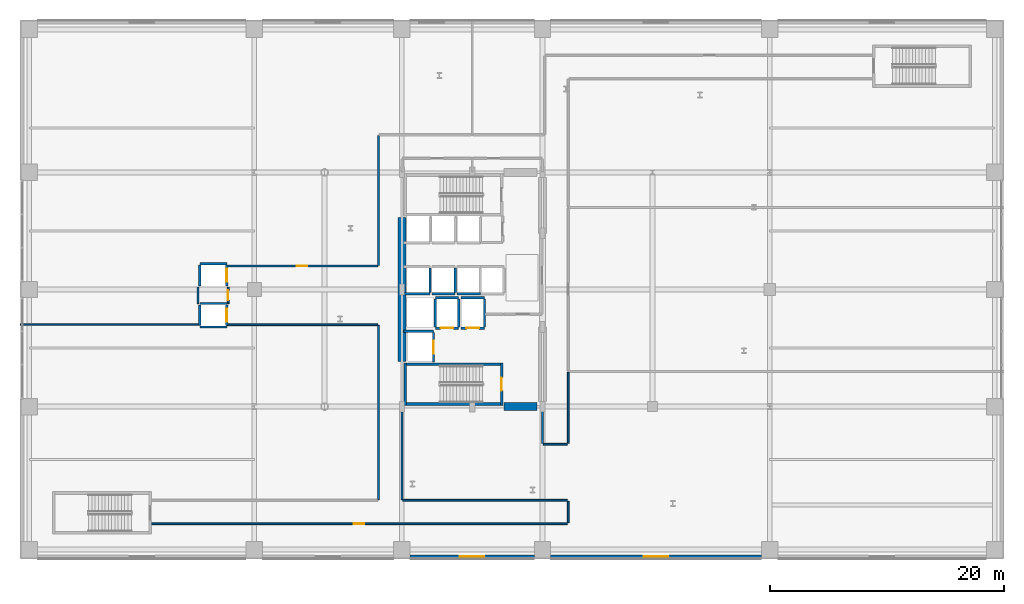
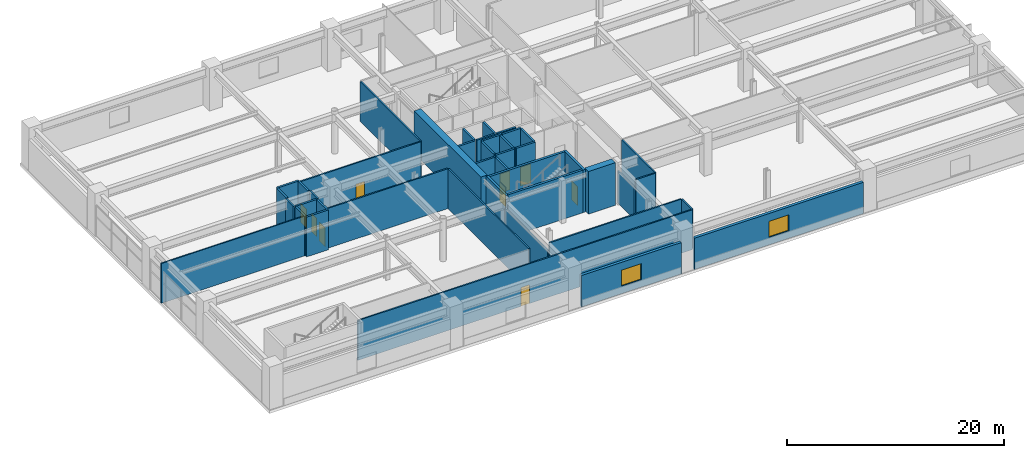
# One storey, part 20 of 28: 43 walls, 9 doors, 2 windows, 11 openings.
"""IFC4 building model written with IfcOpenShell, lengths in metres."""

from ifc_helpers import new_model, si_unit, direction, frame, frame_2d, origin, place, context, subcontext, project, spatial, rectangle, extrude, material, layer, layer_set, type_object, element, fill, save


model = new_model("IFC4")

# Units and contexts
model_context = context("Model", 3, precision=1e-05, world=origin(), true_north=direction((0.0, 1.0)))
body_context = subcontext(model_context, "Body", "Model", "MODEL_VIEW")
ifc_project = project(units=[si_unit("LENGTHUNIT", "METRE"), si_unit("AREAUNIT", "SQUARE_METRE"), si_unit("VOLUMEUNIT", "CUBIC_METRE"), si_unit("PLANEANGLEUNIT", "RADIAN"), si_unit("MASSUNIT", "GRAM", prefix="KILO")], contexts=[model_context])

# Site, building, storey
site_placement = place(None, origin())
site = spatial("IfcSite", under=ifc_project, at=site_placement, CompositionType="ELEMENT")
building_placement = place(site_placement, origin())
building = spatial("IfcBuilding", under=site, at=building_placement, Name="Soratama Intermodal Tower", CompositionType="ELEMENT")
storey_placement = place(building_placement, frame((0.0, 0.0, 11.39990234375)))
storey = spatial("IfcBuildingStorey", under=building, at=storey_placement, Name="L02", CompositionType="ELEMENT", Elevation=11.39990234375)

# Wall, opening, window
ifc_material_1 = material(Name="Concrete f'c 42 MPa", Category="concrete")
ifc_layer_1 = layer(ifc_material_1, 0.300048828125)
ifc_layer_set_1 = layer_set([ifc_layer_1], Name="Concrete f'c 42 MPa")
wall_type_1 = type_object("IfcWallType", Name="EW-STONE-300", PredefinedType="SOLIDWALL", material=ifc_layer_set_1)
wall_1_placement = place(storey_placement, frame((43.89990234375, 2.199951171875, 0.0), z_axis=(0.0, 0.0, 1.0), x_axis=(-1.0, 0.0, 0.0)))
wall_1 = element("IfcWall", 1, at=wall_1_placement, inside=storey, type_object=wall_type_1, Name="L02 S Limestone Wall B3", PredefinedType="SOLIDWALL", context=body_context, shape_type="SweptSolid", body=[
    extrude(rectangle(XDim=10.599853515625, YDim=0.300048828125, at=frame_2d((5.2998046875, 0.0))), origin(), (0.0, 0.0, 1.0), 3.5361328125),
])
opening_1_placement = place(wall_1_placement, frame((4.25, 0.0, 0.85009765625)))
opening_1 = element("IfcOpeningElement", 2, at=opening_1_placement, cuts=wall_1, Name="Opening WN-0", PredefinedType="OPENING", context=body_context, shape_type="SweptSolid", body=[
    extrude(rectangle(XDim=2.10009765625, YDim=1.800048828125, at=frame_2d((1.050048828125, 0.89990234375))), frame((0.0, 0.159912109375, 0.0), z_axis=(0.0, -1.0, 0.0), x_axis=(1.0, 0.0, 0.0)), (0.0, 0.0, 1.0), 0.320068359375),
])
ifc_material_2 = material(Name="Double-glazed aluminium window", Category="aluminium")
window_type = type_object("IfcWindowType", Name="WN-POD-2100", PartitioningType="SINGLE_PANEL", PredefinedType="WINDOW", material=ifc_material_2)
window_1_placement = place(opening_1_placement, origin())
window_1 = element("IfcWindow", 3, at=window_1_placement, inside=storey, type_object=window_type, Name="L02 S Window B3", OverallHeight=1.800048828125, OverallWidth=2.10009765625, PartitioningType="SINGLE_PANEL", PredefinedType="WINDOW", context=body_context, shape_type="SweptSolid", body=[
    extrude(rectangle(XDim=2.10009765625, YDim=1.800048828125, at=frame_2d((1.050048828125, 0.89990234375))), frame((0.0, 0.030029296875, 0.0), z_axis=(0.0, -1.0, 0.0), x_axis=(1.0, 0.0, 0.0)), (0.0, 0.0, 1.0), 0.06005859375),
])
fill(opening_1, window_1)

wall_2_placement = place(storey_placement, frame((63.300048828125, 2.199951171875, 0.0), z_axis=(0.0, 0.0, 1.0), x_axis=(-1.0, 0.0, 0.0)))
wall_2 = element("IfcWall", 4, at=wall_2_placement, inside=storey, type_object=wall_type_1, Name="L02 S Limestone Wall B4", PredefinedType="SOLIDWALL", context=body_context, shape_type="SweptSolid", body=[
    extrude(rectangle(XDim=18.0, YDim=0.300048828125, at=frame_2d((9.0, 0.0))), origin(), (0.0, 0.0, 1.0), 3.5361328125),
])
opening_2_placement = place(wall_2_placement, frame((7.949951171875, 0.0, 0.85009765625)))
opening_2 = element("IfcOpeningElement", 5, at=opening_2_placement, cuts=wall_2, Name="Opening WN-0", PredefinedType="OPENING", context=body_context, shape_type="SweptSolid", body=[
    extrude(rectangle(XDim=2.10009765625, YDim=1.800048828125, at=frame_2d((1.050048828125, 0.89990234375))), frame((0.0, 0.159912109375, 0.0), z_axis=(0.0, -1.0, 0.0), x_axis=(1.0, 0.0, 0.0)), (0.0, 0.0, 1.0), 0.320068359375),
])
window_2_placement = place(opening_2_placement, origin())
window_2 = element("IfcWindow", 6, at=window_2_placement, inside=storey, type_object=window_type, Name="L02 S Window B4", OverallHeight=1.800048828125, OverallWidth=2.10009765625, PartitioningType="SINGLE_PANEL", PredefinedType="WINDOW", context=body_context, shape_type="SweptSolid", body=[
    extrude(rectangle(XDim=2.10009765625, YDim=1.800048828125, at=frame_2d((1.050048828125, 0.89990234375))), frame((0.0, 0.030029296875, 0.0), z_axis=(0.0, -1.0, 0.0), x_axis=(1.0, 0.0, 0.0)), (0.0, 0.0, 1.0), 0.06005859375),
])
fill(opening_2, window_2)

# Wall, opening, door
ifc_material_3 = material(Name="Fire-rated gypsum stud partition", Category="concrete")
ifc_layer_2 = layer(ifc_material_3, 0.14990234375)
ifc_layer_set_2 = layer_set([ifc_layer_2], Name="Fire-rated gypsum stud partition")
wall_type_2 = type_object("IfcWallType", Name="IW-PART-R150", PredefinedType="PARTITIONING", material=ifc_layer_set_2)
wall_3_placement = place(storey_placement, frame((46.72998046875, 5.0, 0.0), z_axis=(0.0, 0.0, 1.0), x_axis=(-1.0, 0.0, 0.0)))
wall_3 = element("IfcWall", 7, at=wall_3_placement, inside=storey, type_object=wall_type_2, Name="L02 Partition W-L02-TP003", PredefinedType="PARTITIONING", context=body_context, shape_type="SweptSolid", body=[
    extrude(rectangle(XDim=35.60986328125, YDim=0.14990234375, at=frame_2d((17.804931640625, 0.0))), origin(), (0.0, 0.0, 1.0), 4.47998046875),
])
opening_3_placement = place(wall_3_placement, frame((17.330078125, 0.0, 0.0)))
opening_3 = element("IfcOpeningElement", 8, at=opening_3_placement, cuts=wall_3, Name="Opening ID-6", PredefinedType="OPENING", context=body_context, shape_type="SweptSolid", body=[
    extrude(rectangle(XDim=0.919921875, YDim=2.1201171875, at=frame_2d((0.4599609375, 1.06005859375))), frame((0.0, 0.0849609375, 0.0), z_axis=(0.0, -1.0, 0.0), x_axis=(1.0, 0.0, 0.0)), (0.0, 0.0, 1.0), 0.169921875),
])
ifc_material_4 = material(Name="Solid hardwood acoustic door", Category="wood")
door_type_1 = type_object("IfcDoorType", Name="DR-ROOM-920", OperationType="NOTDEFINED", PredefinedType="DOOR", material=ifc_material_4)
door_1_placement = place(opening_3_placement, origin())
door_1 = element("IfcDoor", 9, at=door_1_placement, inside=storey, type_object=door_type_1, Name="L02 Door D-L02-TP001", OperationType="SINGLE_SWING_RIGHT", OverallHeight=2.1201171875, OverallWidth=0.919921875, PredefinedType="DOOR", context=body_context, shape_type="SweptSolid", body=[
    extrude(rectangle(XDim=0.919921875, YDim=2.1201171875, at=frame_2d((0.4599609375, 1.06005859375))), frame((0.0, 0.02490234375, 0.0), z_axis=(0.0, -1.0, 0.0), x_axis=(1.0, 0.0, 0.0)), (0.0, 0.0, 1.0), 0.050048828125),
])
fill(opening_3, door_1)

# Walls
wall_4_placement = place(storey_placement, frame((30.60009765625, 7.070068359375, 0.0), z_axis=(0.0, 0.0, 1.0), x_axis=(0.0, 1.0, 0.0)))
element("IfcWall", 10, at=wall_4_placement, inside=storey, type_object=wall_type_2, Name="L02 Partition W-L02-TP008", PredefinedType="PARTITIONING", context=body_context, shape_type="SweptSolid", body=[
    extrude(rectangle(XDim=14.85986328125, YDim=0.14990234375, at=frame_2d((7.429931640625, 0.0))), origin(), (0.0, 0.0, 1.0), 4.47998046875),
])
wall_5_placement = place(storey_placement, frame((32.669921875, 7.0, 0.0), z_axis=(0.0, 0.0, 1.0), x_axis=(1.0, 0.0, 0.0)))
element("IfcWall", 11, at=wall_5_placement, inside=storey, type_object=wall_type_2, Name="L02 Partition W-L02-TP009", PredefinedType="PARTITIONING", context=body_context, shape_type="SweptSolid", body=[
    extrude(rectangle(XDim=14.06005859375, YDim=0.14990234375, at=frame_2d((7.030029296875, 0.0))), origin(), (0.0, 0.0, 1.0), 4.47998046875),
])
wall_6_placement = place(storey_placement, frame((30.530029296875, 22.0, 0.0), z_axis=(0.0, 0.0, 1.0), x_axis=(-1.0, 0.0, 0.0)))
element("IfcWall", 12, at=wall_6_placement, inside=storey, type_object=wall_type_2, Name="L02 Partition W-L02-TP011", PredefinedType="PARTITIONING", context=body_context, shape_type="SweptSolid", body=[
    extrude(rectangle(XDim=12.880126953125, YDim=0.14990234375, at=frame_2d((6.43994140625, 0.0))), origin(), (0.0, 0.0, 1.0), 4.47998046875),
])

# Wall, opening, door
wall_7_placement = place(storey_placement, frame((17.64990234375, 27.0, 0.0), z_axis=(0.0, 0.0, 1.0), x_axis=(1.0, 0.0, 0.0)))
wall_7 = element("IfcWall", 13, at=wall_7_placement, inside=storey, type_object=wall_type_2, Name="L02 Partition W-L02-TP012", PredefinedType="PARTITIONING", context=body_context, shape_type="SweptSolid", body=[
    extrude(rectangle(XDim=12.880126953125, YDim=0.14990234375, at=frame_2d((6.43994140625, 0.0))), origin(), (0.0, 0.0, 1.0), 4.47998046875),
])
opening_4_placement = place(wall_7_placement, frame((5.965087890625, 0.0, 0.0)))
opening_4 = element("IfcOpeningElement", 14, at=opening_4_placement, cuts=wall_7, Name="Opening ID-6", PredefinedType="OPENING", context=body_context, shape_type="SweptSolid", body=[
    extrude(rectangle(XDim=0.919921875, YDim=2.1201171875, at=frame_2d((0.4599609375, 1.06005859375))), frame((0.0, 0.0849609375, 0.0), z_axis=(0.0, -1.0, 0.0), x_axis=(1.0, 0.0, 0.0)), (0.0, 0.0, 1.0), 0.169921875),
])
door_2_placement = place(opening_4_placement, origin())
door_2 = element("IfcDoor", 15, at=door_2_placement, inside=storey, type_object=door_type_1, Name="L02 Door D-L02-TP004", OperationType="SINGLE_SWING_LEFT", OverallHeight=2.1201171875, OverallWidth=0.919921875, PredefinedType="DOOR", context=body_context, shape_type="SweptSolid", body=[
    extrude(rectangle(XDim=0.919921875, YDim=2.1201171875, at=frame_2d((0.4599609375, 1.06005859375))), frame((0.0, 0.02490234375, 0.0), z_axis=(0.0, -1.0, 0.0), x_axis=(1.0, 0.0, 0.0)), (0.0, 0.0, 1.0), 0.050048828125),
])
fill(opening_4, door_2)

# Walls
wall_8_placement = place(storey_placement, frame((30.60009765625, 27.070068359375, 0.0), z_axis=(0.0, 0.0, 1.0), x_axis=(0.0, 1.0, 0.0)))
element("IfcWall", 16, at=wall_8_placement, inside=storey, type_object=wall_type_2, Name="L02 Partition W-L02-TP013", PredefinedType="PARTITIONING", context=body_context, shape_type="SweptSolid", body=[
    extrude(rectangle(XDim=11.059814453125, YDim=0.14990234375, at=frame_2d((5.52978515625, 0.0))), origin(), (0.0, 0.0, 1.0), 4.47998046875),
])
wall_9_placement = place(storey_placement, frame((32.60009765625, 14.929931640625, 0.0), z_axis=(0.0, 0.0, 1.0), x_axis=(0.0, -1.0, 0.0)))
element("IfcWall", 17, at=wall_9_placement, inside=storey, type_object=wall_type_2, Name="L02 Partition W-L02-TP016", PredefinedType="PARTITIONING", context=body_context, shape_type="SweptSolid", body=[
    extrude(rectangle(XDim=7.85986328125, YDim=0.14990234375, at=frame_2d((3.929931640625, 0.0))), origin(), (0.0, 0.0, 1.0), 3.60205078125),
])
wall_10_placement = place(storey_placement, frame((46.800048828125, 17.929931640625, 0.0), z_axis=(0.0, 0.0, 1.0), x_axis=(0.0, -1.0, 0.0)))
element("IfcWall", 18, at=wall_10_placement, inside=storey, type_object=wall_type_2, Name="L02 Partition W-L02-TP020", PredefinedType="PARTITIONING", context=body_context, shape_type="SweptSolid", body=[
    extrude(rectangle(XDim=6.059814453125, YDim=0.14990234375, at=frame_2d((3.02978515625, 0.0))), origin(), (0.0, 0.0, 1.0), 4.47998046875),
])
wall_11_placement = place(storey_placement, frame((44.60009765625, 11.8701171875, 0.0), z_axis=(0.0, 0.0, 1.0), x_axis=(0.0, 1.0, 0.0)))
element("IfcWall", 19, at=wall_11_placement, inside=storey, type_object=wall_type_2, Name="L02 Partition W-L02-TP025", PredefinedType="PARTITIONING", context=body_context, shape_type="SweptSolid", body=[
    extrude(rectangle(XDim=3.059814453125, YDim=0.14990234375, at=frame_2d((1.52978515625, 0.0))), origin(), (0.0, 0.0, 1.0), 3.60205078125),
])
wall_12_placement = place(storey_placement, frame((46.72998046875, 11.800048828125, 0.0), z_axis=(0.0, 0.0, 1.0), x_axis=(-1.0, 0.0, 0.0)))
element("IfcWall", 20, at=wall_12_placement, inside=storey, type_object=wall_type_2, Name="L02 Partition W-L02-TP027", PredefinedType="PARTITIONING", context=body_context, shape_type="SweptSolid", body=[
    extrude(rectangle(XDim=2.06005859375, YDim=0.14990234375, at=frame_2d((1.030029296875, 0.0))), origin(), (0.0, 0.0, 1.0), 4.47998046875),
])
wall_13_placement = place(storey_placement, frame((46.800048828125, 6.929931640625, 0.0), z_axis=(0.0, 0.0, 1.0), x_axis=(0.0, -1.0, 0.0)))
element("IfcWall", 21, at=wall_13_placement, inside=storey, type_object=wall_type_2, Name="L02 Partition W-L02-TP028", PredefinedType="PARTITIONING", context=body_context, shape_type="SweptSolid", body=[
    extrude(rectangle(XDim=1.85986328125, YDim=0.14990234375, at=frame_2d((0.929931640625, 0.0))), origin(), (0.0, 0.0, 1.0), 4.47998046875),
])

# Wall, opening, door
wall_14_placement = place(storey_placement, frame((17.77001953125, 23.800048828125, 0.0), z_axis=(0.0, 0.0, 1.0), x_axis=(0.0, 1.0, 0.0)))
wall_14 = element("IfcWall", 22, at=wall_14_placement, inside=storey, type_object=wall_type_2, Name="L02 Partition W-L02-TP031", PredefinedType="PARTITIONING", context=body_context, shape_type="SweptSolid", body=[
    extrude(rectangle(XDim=1.39990234375, YDim=0.14990234375, at=frame_2d((0.699951171875, 0.0))), origin(), (0.0, 0.0, 1.0), 4.47998046875),
])
opening_5_placement = place(wall_14_placement, frame((0.27490234375, 0.0, 0.0)))
opening_5 = element("IfcOpeningElement", 23, at=opening_5_placement, cuts=wall_14, Name="Opening ID-4", PredefinedType="OPENING", context=body_context, shape_type="SweptSolid", body=[
    extrude(rectangle(XDim=0.85009765625, YDim=2.10009765625, at=frame_2d((0.425048828125, 1.050048828125))), frame((0.0, 0.0849609375, 0.0), z_axis=(0.0, -1.0, 0.0), x_axis=(1.0, 0.0, 0.0)), (0.0, 0.0, 1.0), 0.169921875),
])
ifc_material_5 = material(Name="Solid hardwood acoustic door", Category="wood")
door_type_2 = type_object("IfcDoorType", Name="DR-BATH-850", OperationType="NOTDEFINED", PredefinedType="DOOR", material=ifc_material_5)
door_3_placement = place(opening_5_placement, origin())
door_3 = element("IfcDoor", 24, at=door_3_placement, inside=storey, type_object=door_type_2, Name="L02 Door D-L02-TP010", OperationType="SINGLE_SWING_LEFT", OverallHeight=2.10009765625, OverallWidth=0.85009765625, PredefinedType="DOOR", context=body_context, shape_type="SweptSolid", body=[
    extrude(rectangle(XDim=0.85009765625, YDim=2.10009765625, at=frame_2d((0.425048828125, 1.050048828125))), frame((0.0, 0.02490234375, 0.0), z_axis=(0.0, -1.0, 0.0), x_axis=(1.0, 0.0, 0.0)), (0.0, 0.0, 1.0), 0.050048828125),
])
fill(opening_5, door_3)

# Walls
wall_15_placement = place(storey_placement, frame((15.205078125, 23.800048828125, 0.0), z_axis=(0.0, 0.0, 1.0), x_axis=(0.0, 1.0, 0.0)))
element("IfcWall", 25, at=wall_15_placement, inside=storey, type_object=wall_type_2, Name="L02 Partition W-L02-TP032", PredefinedType="PARTITIONING", context=body_context, shape_type="SweptSolid", body=[
    extrude(rectangle(XDim=1.39990234375, YDim=0.14990234375, at=frame_2d((0.699951171875, 0.0))), origin(), (0.0, 0.0, 1.0), 4.47998046875),
])
ifc_material_6 = material(Name="Fire-rated gypsum stud partition", Category="concrete")
ifc_layer_3 = layer(ifc_material_6, 0.1298828125)
ifc_layer_set_3 = layer_set([ifc_layer_3], Name="Fire-rated gypsum stud partition")
wall_type_3 = type_object("IfcWallType", Name="IW-PART-S130", PredefinedType="PARTITIONING", material=ifc_layer_set_3)
wall_16_placement = place(storey_placement, frame((0.0, 22.0, 0.0), z_axis=(0.0, 0.0, 1.0), x_axis=(1.0, 0.0, 0.0)))
element("IfcWall", 26, at=wall_16_placement, inside=storey, type_object=wall_type_3, Name="L02 Partition W-L02-TP007", PredefinedType="PARTITIONING", context=body_context, shape_type="SweptSolid", body=[
    extrude(rectangle(XDim=15.35009765625, YDim=0.1298828125, at=frame_2d((7.675048828125, 0.0))), origin(), (0.0, 0.0, 1.0), 4.47998046875),
])

# Wall, opening, door
ifc_material_7 = material(Name="Concrete f'c 42 MPa", Category="concrete")
ifc_layer_4 = layer(ifc_material_7, 0.199951171875)
ifc_layer_set_4 = layer_set([ifc_layer_4], Name="Concrete f'c 42 MPa")
wall_type_4 = type_object("IfcWallType", Name="IW-SHAFT-200", PredefinedType="SOLIDWALL", material=ifc_layer_set_4)
wall_17_placement = place(storey_placement, frame((35.449951171875, 21.699951171875, 0.0), z_axis=(0.0, 0.0, 1.0), x_axis=(1.0, 0.0, 0.0)))
wall_17 = element("IfcWall", 27, at=wall_17_placement, inside=storey, type_object=wall_type_4, Name="L02 FFL-1 Hoistway Wall S", PredefinedType="SOLIDWALL", context=body_context, shape_type="SweptSolid", body=[
    extrude(rectangle(XDim=2.0, YDim=0.199951171875, at=frame_2d((1.0, 0.0))), origin(), (0.0, 0.0, 1.0), 4.47998046875),
])
opening_6_placement = place(wall_17_placement, frame((0.449951171875, 0.0, 0.0)))
opening_6 = element("IfcOpeningElement", 28, at=opening_6_placement, cuts=wall_17, Name="Opening LD-1", PredefinedType="OPENING", context=body_context, shape_type="SweptSolid", body=[
    extrude(rectangle(XDim=1.10009765625, YDim=2.14990234375, at=frame_2d((0.550048828125, 1.074951171875))), frame((0.0, 0.10986328125, 0.0), z_axis=(0.0, -1.0, 0.0), x_axis=(1.0, 0.0, 0.0)), (0.0, 0.0, 1.0), 0.219970703125),
])
ifc_material_8 = material(Name="Steel fire door", Category="steel")
door_type_3 = type_object("IfcDoorType", Name="DR-LIFT-SLIDE", OperationType="NOTDEFINED", PredefinedType="DOOR", material=ifc_material_8)
door_4_placement = place(opening_6_placement, origin())
door_4 = element("IfcDoor", 29, at=door_4_placement, inside=storey, type_object=door_type_3, Name="L02 FFL-1 Sliding Landing Door", OperationType="SLIDING_TO_LEFT", OverallHeight=2.14990234375, OverallWidth=1.10009765625, PredefinedType="DOOR", context=body_context, shape_type="SweptSolid", body=[
    extrude(rectangle(XDim=1.10009765625, YDim=2.14990234375, at=frame_2d((0.550048828125, 1.074951171875))), frame((0.0, 0.02490234375, 0.0), z_axis=(0.0, -1.0, 0.0), x_axis=(1.0, 0.0, 0.0)), (0.0, 0.0, 1.0), 0.050048828125),
])
fill(opening_6, door_4)

# Walls
wall_18_placement = place(storey_placement, frame((35.449951171875, 24.300048828125, 0.0), z_axis=(0.0, 0.0, 1.0), x_axis=(1.0, 0.0, 0.0)))
element("IfcWall", 30, at=wall_18_placement, inside=storey, type_object=wall_type_4, Name="L02 FFL-1 Hoistway Wall N", PredefinedType="SOLIDWALL", context=body_context, shape_type="SweptSolid", body=[
    extrude(rectangle(XDim=2.0, YDim=0.199951171875, at=frame_2d((1.0, 0.0))), origin(), (0.0, 0.0, 1.0), 4.47998046875),
])
for number, where, z_axis, x_axis, name in (
    (31, (35.449951171875, 21.81005859375, 0.0), (0.0, 0.0, 1.0), (0.0, 1.0, 0.0), "L02 FFL-1 Hoistway Wall W"),
    (32, (37.449951171875, 21.81005859375, 0.0), (0.0, 0.0, 1.0), (0.0, 1.0, 0.0), "L02 FFL-1 Hoistway Wall E"),
):
    element("IfcWall", number, at=place(storey_placement, frame(where, z_axis=z_axis, x_axis=x_axis)), inside=storey, type_object=wall_type_4, Name=name, PredefinedType="SOLIDWALL", context=body_context, shape_type="SweptSolid", body=[
        extrude(rectangle(XDim=2.3798828125, YDim=0.199951171875, at=frame_2d((1.18994140625, 0.0))), origin(), (0.0, 0.0, 1.0), 4.47998046875),
    ])

# Wall, opening, door
wall_19_placement = place(storey_placement, frame((37.64990234375, 21.699951171875, 0.0), z_axis=(0.0, 0.0, 1.0), x_axis=(1.0, 0.0, 0.0)))
wall_19 = element("IfcWall", 33, at=wall_19_placement, inside=storey, type_object=wall_type_4, Name="L02 FFL-2 Hoistway Wall S", PredefinedType="SOLIDWALL", context=body_context, shape_type="SweptSolid", body=[
    extrude(rectangle(XDim=2.0, YDim=0.199951171875, at=frame_2d((1.0, 0.0))), origin(), (0.0, 0.0, 1.0), 4.47998046875),
])
opening_7_placement = place(wall_19_placement, frame((0.449951171875, 0.0, 0.0)))
opening_7 = element("IfcOpeningElement", 34, at=opening_7_placement, cuts=wall_19, Name="Opening LD-1", PredefinedType="OPENING", context=body_context, shape_type="SweptSolid", body=[
    extrude(rectangle(XDim=1.10009765625, YDim=2.14990234375, at=frame_2d((0.550048828125, 1.074951171875))), frame((0.0, 0.10986328125, 0.0), z_axis=(0.0, -1.0, 0.0), x_axis=(1.0, 0.0, 0.0)), (0.0, 0.0, 1.0), 0.219970703125),
])
door_5_placement = place(opening_7_placement, origin())
door_5 = element("IfcDoor", 35, at=door_5_placement, inside=storey, type_object=door_type_3, Name="L02 FFL-2 Sliding Landing Door", OperationType="SLIDING_TO_LEFT", OverallHeight=2.14990234375, OverallWidth=1.10009765625, PredefinedType="DOOR", context=body_context, shape_type="SweptSolid", body=[
    extrude(rectangle(XDim=1.10009765625, YDim=2.14990234375, at=frame_2d((0.550048828125, 1.074951171875))), frame((0.0, 0.02490234375, 0.0), z_axis=(0.0, -1.0, 0.0), x_axis=(1.0, 0.0, 0.0)), (0.0, 0.0, 1.0), 0.050048828125),
])
fill(opening_7, door_5)

# Walls
wall_20_placement = place(storey_placement, frame((37.64990234375, 24.300048828125, 0.0), z_axis=(0.0, 0.0, 1.0), x_axis=(1.0, 0.0, 0.0)))
element("IfcWall", 36, at=wall_20_placement, inside=storey, type_object=wall_type_4, Name="L02 FFL-2 Hoistway Wall N", PredefinedType="SOLIDWALL", context=body_context, shape_type="SweptSolid", body=[
    extrude(rectangle(XDim=2.0, YDim=0.199951171875, at=frame_2d((1.0, 0.0))), origin(), (0.0, 0.0, 1.0), 4.47998046875),
])
wall_21_placement = place(storey_placement, frame((39.64990234375, 21.81005859375, 0.0), z_axis=(0.0, 0.0, 1.0), x_axis=(0.0, 1.0, 0.0)))
element("IfcWall", 37, at=wall_21_placement, inside=storey, type_object=wall_type_4, Name="L02 FFL-2 Hoistway Wall E", PredefinedType="SOLIDWALL", context=body_context, shape_type="SweptSolid", body=[
    extrude(rectangle(XDim=2.3798828125, YDim=0.199951171875, at=frame_2d((1.18994140625, 0.0))), origin(), (0.0, 0.0, 1.0), 4.47998046875),
])
wall_22_placement = place(storey_placement, frame((32.719970703125, 21.449951171875, 0.0), z_axis=(0.0, 0.0, 1.0), x_axis=(1.0, 0.0, 0.0)))
element("IfcWall", 38, at=wall_22_placement, inside=storey, type_object=wall_type_4, Name="L02 SVL-1 Hoistway Wall N", PredefinedType="SOLIDWALL", context=body_context, shape_type="SweptSolid", body=[
    extrude(rectangle(XDim=2.580078125, YDim=0.199951171875, at=frame_2d((1.2900390625, 0.0))), origin(), (0.0, 0.0, 1.0), 4.47998046875),
])

# Wall, opening, door
wall_23_placement = place(storey_placement, frame((35.300048828125, 18.7900390625, 0.0), z_axis=(0.0, 0.0, 1.0), x_axis=(0.0, 1.0, 0.0)))
wall_23 = element("IfcWall", 39, at=wall_23_placement, inside=storey, type_object=wall_type_4, Name="L02 SVL-1 Hoistway Wall E", PredefinedType="SOLIDWALL", context=body_context, shape_type="SweptSolid", body=[
    extrude(rectangle(XDim=2.550048828125, YDim=0.199951171875, at=frame_2d((1.27490234375, 0.0))), origin(), (0.0, 0.0, 1.0), 4.47998046875),
])
opening_8_placement = place(wall_23_placement, frame((0.72509765625, 0.0, 0.0)))
opening_8 = element("IfcOpeningElement", 40, at=opening_8_placement, cuts=wall_23, Name="Opening LD-1", PredefinedType="OPENING", context=body_context, shape_type="SweptSolid", body=[
    extrude(rectangle(XDim=1.10009765625, YDim=2.14990234375, at=frame_2d((0.550048828125, 1.074951171875))), frame((0.0, 0.10986328125, 0.0), z_axis=(0.0, -1.0, 0.0), x_axis=(1.0, 0.0, 0.0)), (0.0, 0.0, 1.0), 0.219970703125),
])
door_6_placement = place(opening_8_placement, origin())
door_6 = element("IfcDoor", 41, at=door_6_placement, inside=storey, type_object=door_type_3, Name="L02 SVL-1 Sliding Landing Door", OperationType="SLIDING_TO_LEFT", OverallHeight=2.14990234375, OverallWidth=1.10009765625, PredefinedType="DOOR", context=body_context, shape_type="SweptSolid", body=[
    extrude(rectangle(XDim=1.10009765625, YDim=2.14990234375, at=frame_2d((0.550048828125, 1.074951171875))), frame((0.0, 0.02490234375, 0.0), z_axis=(0.0, -1.0, 0.0), x_axis=(1.0, 0.0, 0.0)), (0.0, 0.0, 1.0), 0.050048828125),
])
fill(opening_8, door_6)

# Walls
for number, where, z_axis, x_axis, name in (
    (42, (15.35009765625, 21.800048828125, 0.0), (0.0, 0.0, 1.0), (1.0, 0.0, 0.0), "L02 PL-P1 Hoistway Wall S"),
    (43, (15.35009765625, 23.800048828125, 0.0), (0.0, 0.0, 1.0), (1.0, 0.0, 0.0), "L02 PL-P1 Hoistway Wall N"),
):
    element("IfcWall", number, at=place(storey_placement, frame(where, z_axis=z_axis, x_axis=x_axis)), inside=storey, type_object=wall_type_4, Name=name, PredefinedType="SOLIDWALL", context=body_context, shape_type="SweptSolid", body=[
        extrude(rectangle(XDim=2.2998046875, YDim=0.199951171875, at=frame_2d((1.14990234375, 0.0))), origin(), (0.0, 0.0, 1.0), 4.47998046875),
    ])
wall_24_placement = place(storey_placement, frame((15.35009765625, 21.909912109375, 0.0), z_axis=(0.0, 0.0, 1.0), x_axis=(0.0, 1.0, 0.0)))
element("IfcWall", 44, at=wall_24_placement, inside=storey, type_object=wall_type_4, Name="L02 PL-P1 Hoistway Wall W", PredefinedType="SOLIDWALL", context=body_context, shape_type="SweptSolid", body=[
    extrude(rectangle(XDim=1.780029296875, YDim=0.199951171875, at=frame_2d((0.89013671875, 0.0))), origin(), (0.0, 0.0, 1.0), 4.47998046875),
])

# Wall, opening, door
wall_25_placement = place(storey_placement, frame((17.64990234375, 21.909912109375, 0.0), z_axis=(0.0, 0.0, 1.0), x_axis=(0.0, 1.0, 0.0)))
wall_25 = element("IfcWall", 45, at=wall_25_placement, inside=storey, type_object=wall_type_4, Name="L02 PL-P1 Hoistway Wall E", PredefinedType="SOLIDWALL", context=body_context, shape_type="SweptSolid", body=[
    extrude(rectangle(XDim=1.780029296875, YDim=0.199951171875, at=frame_2d((0.89013671875, 0.0))), origin(), (0.0, 0.0, 1.0), 4.47998046875),
])
opening_9_placement = place(wall_25_placement, frame((0.340087890625, 0.0, 0.0)))
opening_9 = element("IfcOpeningElement", 46, at=opening_9_placement, cuts=wall_25, Name="Opening LD-1", PredefinedType="OPENING", context=body_context, shape_type="SweptSolid", body=[
    extrude(rectangle(XDim=1.10009765625, YDim=2.14990234375, at=frame_2d((0.550048828125, 1.074951171875))), frame((0.0, 0.10986328125, 0.0), z_axis=(0.0, -1.0, 0.0), x_axis=(1.0, 0.0, 0.0)), (0.0, 0.0, 1.0), 0.219970703125),
])
door_7_placement = place(opening_9_placement, origin())
door_7 = element("IfcDoor", 47, at=door_7_placement, inside=storey, type_object=door_type_3, Name="L02 PL-P1 Sliding Landing Door", OperationType="SLIDING_TO_LEFT", OverallHeight=2.14990234375, OverallWidth=1.10009765625, PredefinedType="DOOR", context=body_context, shape_type="SweptSolid", body=[
    extrude(rectangle(XDim=1.10009765625, YDim=2.14990234375, at=frame_2d((0.550048828125, 1.074951171875))), frame((0.0, 0.02490234375, 0.0), z_axis=(0.0, -1.0, 0.0), x_axis=(1.0, 0.0, 0.0)), (0.0, 0.0, 1.0), 0.050048828125),
])
fill(opening_9, door_7)

# Walls
wall_26_placement = place(storey_placement, frame((15.35009765625, 27.199951171875, 0.0), z_axis=(0.0, 0.0, 1.0), x_axis=(1.0, 0.0, 0.0)))
element("IfcWall", 48, at=wall_26_placement, inside=storey, type_object=wall_type_4, Name="L02 PL-P2 Hoistway Wall N", PredefinedType="SOLIDWALL", context=body_context, shape_type="SweptSolid", body=[
    extrude(rectangle(XDim=2.2998046875, YDim=0.199951171875, at=frame_2d((1.14990234375, 0.0))), origin(), (0.0, 0.0, 1.0), 4.47998046875),
])
wall_27_placement = place(storey_placement, frame((15.35009765625, 25.31005859375, 0.0), z_axis=(0.0, 0.0, 1.0), x_axis=(0.0, 1.0, 0.0)))
element("IfcWall", 49, at=wall_27_placement, inside=storey, type_object=wall_type_4, Name="L02 PL-P2 Hoistway Wall W", PredefinedType="SOLIDWALL", context=body_context, shape_type="SweptSolid", body=[
    extrude(rectangle(XDim=1.780029296875, YDim=0.199951171875, at=frame_2d((0.89013671875, 0.0))), origin(), (0.0, 0.0, 1.0), 4.47998046875),
])

# Wall, opening, door
wall_28_placement = place(storey_placement, frame((17.64990234375, 25.31005859375, 0.0), z_axis=(0.0, 0.0, 1.0), x_axis=(0.0, 1.0, 0.0)))
wall_28 = element("IfcWall", 50, at=wall_28_placement, inside=storey, type_object=wall_type_4, Name="L02 PL-P2 Hoistway Wall E", PredefinedType="SOLIDWALL", context=body_context, shape_type="SweptSolid", body=[
    extrude(rectangle(XDim=1.780029296875, YDim=0.199951171875, at=frame_2d((0.89013671875, 0.0))), origin(), (0.0, 0.0, 1.0), 4.47998046875),
])
opening_10_placement = place(wall_28_placement, frame((0.340087890625, 0.0, 0.0)))
opening_10 = element("IfcOpeningElement", 51, at=opening_10_placement, cuts=wall_28, Name="Opening LD-1", PredefinedType="OPENING", context=body_context, shape_type="SweptSolid", body=[
    extrude(rectangle(XDim=1.10009765625, YDim=2.14990234375, at=frame_2d((0.550048828125, 1.074951171875))), frame((0.0, 0.10986328125, 0.0), z_axis=(0.0, -1.0, 0.0), x_axis=(1.0, 0.0, 0.0)), (0.0, 0.0, 1.0), 0.219970703125),
])
door_8_placement = place(opening_10_placement, origin())
door_8 = element("IfcDoor", 52, at=door_8_placement, inside=storey, type_object=door_type_3, Name="L02 PL-P2 Sliding Landing Door", OperationType="SLIDING_TO_LEFT", OverallHeight=2.14990234375, OverallWidth=1.10009765625, PredefinedType="DOOR", context=body_context, shape_type="SweptSolid", body=[
    extrude(rectangle(XDim=1.10009765625, YDim=2.14990234375, at=frame_2d((0.550048828125, 1.074951171875))), frame((0.0, 0.02490234375, 0.0), z_axis=(0.0, -1.0, 0.0), x_axis=(1.0, 0.0, 0.0)), (0.0, 0.0, 1.0), 0.050048828125),
])
fill(opening_10, door_8)

# Walls
wall_29_placement = place(storey_placement, frame((32.719970703125, 24.64990234375, 0.0), z_axis=(0.0, 0.0, 1.0), x_axis=(1.0, 0.0, 0.0)))
element("IfcWall", 53, at=wall_29_placement, inside=storey, type_object=wall_type_4, Name="L02 PL-L1 Hoistway Wall S", PredefinedType="SOLIDWALL", context=body_context, shape_type="SweptSolid", body=[
    extrude(rectangle(XDim=2.280029296875, YDim=0.199951171875, at=frame_2d((1.14013671875, 0.0))), origin(), (0.0, 0.0, 1.0), 4.47998046875),
])
wall_30_placement = place(storey_placement, frame((35.0, 24.760009765625, 0.0), z_axis=(0.0, 0.0, 1.0), x_axis=(0.0, 1.0, 0.0)))
element("IfcWall", 54, at=wall_30_placement, inside=storey, type_object=wall_type_4, Name="L02 PL-L1 Hoistway Wall E", PredefinedType="SOLIDWALL", context=body_context, shape_type="SweptSolid", body=[
    extrude(rectangle(XDim=2.080078125, YDim=0.199951171875, at=frame_2d((1.0400390625, 0.0))), origin(), (0.0, 0.0, 1.0), 4.47998046875),
])
wall_31_placement = place(storey_placement, frame((35.14990234375, 24.64990234375, 0.0), z_axis=(0.0, 0.0, 1.0), x_axis=(1.0, 0.0, 0.0)))
element("IfcWall", 55, at=wall_31_placement, inside=storey, type_object=wall_type_4, Name="L02 PL-L2 Hoistway Wall S", PredefinedType="SOLIDWALL", context=body_context, shape_type="SweptSolid", body=[
    extrude(rectangle(XDim=2.0, YDim=0.199951171875, at=frame_2d((1.0, 0.0))), origin(), (0.0, 0.0, 1.0), 4.47998046875),
])
wall_32_placement = place(storey_placement, frame((37.14990234375, 24.760009765625, 0.0), z_axis=(0.0, 0.0, 1.0), x_axis=(0.0, 1.0, 0.0)))
element("IfcWall", 56, at=wall_32_placement, inside=storey, type_object=wall_type_4, Name="L02 PL-L2 Hoistway Wall E", PredefinedType="SOLIDWALL", context=body_context, shape_type="SweptSolid", body=[
    extrude(rectangle(XDim=2.080078125, YDim=0.199951171875, at=frame_2d((1.0400390625, 0.0))), origin(), (0.0, 0.0, 1.0), 4.47998046875),
])
wall_33_placement = place(storey_placement, frame((37.300048828125, 24.64990234375, 0.0), z_axis=(0.0, 0.0, 1.0), x_axis=(1.0, 0.0, 0.0)))
element("IfcWall", 57, at=wall_33_placement, inside=storey, type_object=wall_type_4, Name="L02 PL-L3 Hoistway Wall S", PredefinedType="SOLIDWALL", context=body_context, shape_type="SweptSolid", body=[
    extrude(rectangle(XDim=2.0, YDim=0.199951171875, at=frame_2d((1.0, 0.0))), origin(), (0.0, 0.0, 1.0), 4.47998046875),
])
ifc_material_9 = material(Name="Concrete f'c 56 MPa", Category="concrete")
ifc_layer_5 = layer(ifc_material_9, 0.699951171875)
ifc_layer_set_5 = layer_set([ifc_layer_5], Name="Concrete f'c 56 MPa")
wall_type_5 = type_object("IfcWallType", Name="SW-CORE-700", PredefinedType="SHEAR", material=ifc_layer_set_5)
wall_34_placement = place(storey_placement, frame((32.60009765625, 18.85009765625, 0.0), z_axis=(0.0, 0.0, 1.0), x_axis=(0.0, 1.0, 0.0)))
element("IfcWall", 58, at=wall_34_placement, inside=storey, type_object=wall_type_5, Name="L02 Core Shear Wall CW-WMID", PredefinedType="SHEAR", context=body_context, shape_type="SweptSolid", body=[
    extrude(rectangle(XDim=12.2998046875, YDim=0.699951171875, at=frame_2d((6.14990234375, 0.0))), origin(), (0.0, 0.0, 1.0), 4.800048828125),
])
wall_35_placement = place(storey_placement, frame((41.300048828125, 15.0, 0.0), z_axis=(0.0, 0.0, 1.0), x_axis=(1.0, 0.0, 0.0)))
element("IfcWall", 59, at=wall_35_placement, inside=storey, type_object=wall_type_5, Name="L02 Core Shear Wall CW-SE", PredefinedType="SHEAR", context=body_context, shape_type="SweptSolid", body=[
    extrude(rectangle(XDim=2.849853515625, YDim=0.699951171875, at=frame_2d((1.4248046875, 0.0))), origin(), (0.0, 0.0, 1.0), 4.800048828125),
])
ifc_material_10 = material(Name="Concrete f'c 56 MPa", Category="concrete")
ifc_layer_6 = layer(ifc_material_10, 0.239990234375)
ifc_layer_set_6 = layer_set([ifc_layer_6], Name="Concrete f'c 56 MPa")
wall_type_6 = type_object("IfcWallType", Name="SW-STAIR-240", PredefinedType="SHEAR", material=ifc_layer_set_6)
wall_36_placement = place(storey_placement, frame((32.8798828125, 15.110107421875, 0.0), z_axis=(0.0, 0.0, 1.0), x_axis=(0.0, 1.0, 0.0)))
element("IfcWall", 60, at=wall_36_placement, inside=storey, type_object=wall_type_6, Name="L02 ST-1 Shaft Shear Wall W", PredefinedType="SHEAR", context=body_context, shape_type="SweptSolid", body=[
    extrude(rectangle(XDim=3.6298828125, YDim=0.239990234375, at=frame_2d((1.81494140625, 0.0))), origin(), (0.0, 0.0, 1.0), 4.800048828125),
])

# Wall, opening, door
wall_37_placement = place(storey_placement, frame((41.1201171875, 15.110107421875, 0.0), z_axis=(0.0, 0.0, 1.0), x_axis=(0.0, 1.0, 0.0)))
wall_37 = element("IfcWall", 61, at=wall_37_placement, inside=storey, type_object=wall_type_6, Name="L02 ST-1 Shaft Shear Wall E", PredefinedType="SHEAR", context=body_context, shape_type="SweptSolid", body=[
    extrude(rectangle(XDim=3.6298828125, YDim=0.239990234375, at=frame_2d((1.81494140625, 0.0))), origin(), (0.0, 0.0, 1.0), 4.800048828125),
])
opening_11_placement = place(wall_37_placement, frame((1.2548828125, 0.0, 0.0)))
opening_11 = element("IfcOpeningElement", 62, at=opening_11_placement, cuts=wall_37, Name="Opening SD-1", PredefinedType="OPENING", context=body_context, shape_type="SweptSolid", body=[
    extrude(rectangle(XDim=1.1201171875, YDim=2.14990234375, at=frame_2d((0.56005859375, 1.074951171875))), frame((0.0, 0.1298828125, 0.0), z_axis=(0.0, -1.0, 0.0), x_axis=(1.0, 0.0, 0.0)), (0.0, 0.0, 1.0), 0.260009765625),
])
ifc_material_11 = material(Name="Steel fire door", Category="steel")
door_type_4 = type_object("IfcDoorType", Name="DR-STAIR-FD90", OperationType="NOTDEFINED", PredefinedType="DOOR", material=ifc_material_11)
door_9_placement = place(opening_11_placement, origin())
door_9 = element("IfcDoor", 63, at=door_9_placement, inside=storey, type_object=door_type_4, Name="L02 ST-1 Exit Stair Door", OperationType="SINGLE_SWING_LEFT", OverallHeight=2.14990234375, OverallWidth=1.1201171875, PredefinedType="DOOR", context=body_context, shape_type="SweptSolid", body=[
    extrude(rectangle(XDim=1.1201171875, YDim=2.14990234375, at=frame_2d((0.56005859375, 1.074951171875))), frame((0.0, 0.02490234375, 0.0), z_axis=(0.0, -1.0, 0.0), x_axis=(1.0, 0.0, 0.0)), (0.0, 0.0, 1.0), 0.050048828125),
])
fill(opening_11, door_9)

# Walls
for number, where, z_axis, x_axis, name in (
    (64, (33.0, 15.22998046875, 0.0), (0.0, 0.0, 1.0), (1.0, 0.0, 0.0), "L02 ST-1 Shaft Shear Wall S"),
    (65, (33.0, 18.6201171875, 0.0), (0.0, 0.0, 1.0), (1.0, 0.0, 0.0), "L02 ST-1 Shaft Shear Wall N"),
):
    element("IfcWall", number, at=place(storey_placement, frame(where, z_axis=z_axis, x_axis=x_axis)), inside=storey, type_object=wall_type_6, Name=name, PredefinedType="SHEAR", context=body_context, shape_type="SweptSolid", body=[
        extrude(rectangle(XDim=8.0, YDim=0.239990234375, at=frame_2d((4.0, 0.0))), origin(), (0.0, 0.0, 1.0), 4.800048828125),
    ])

save(model, "model.ifc")
